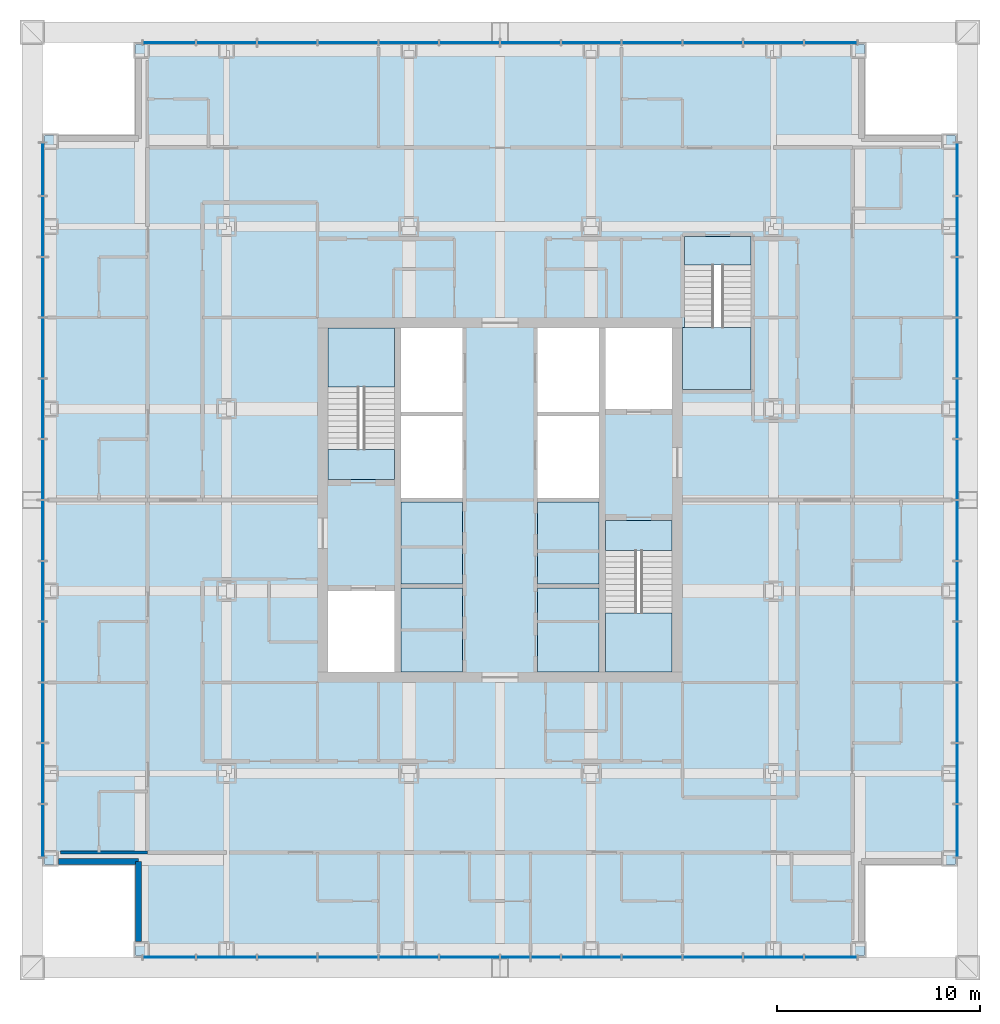
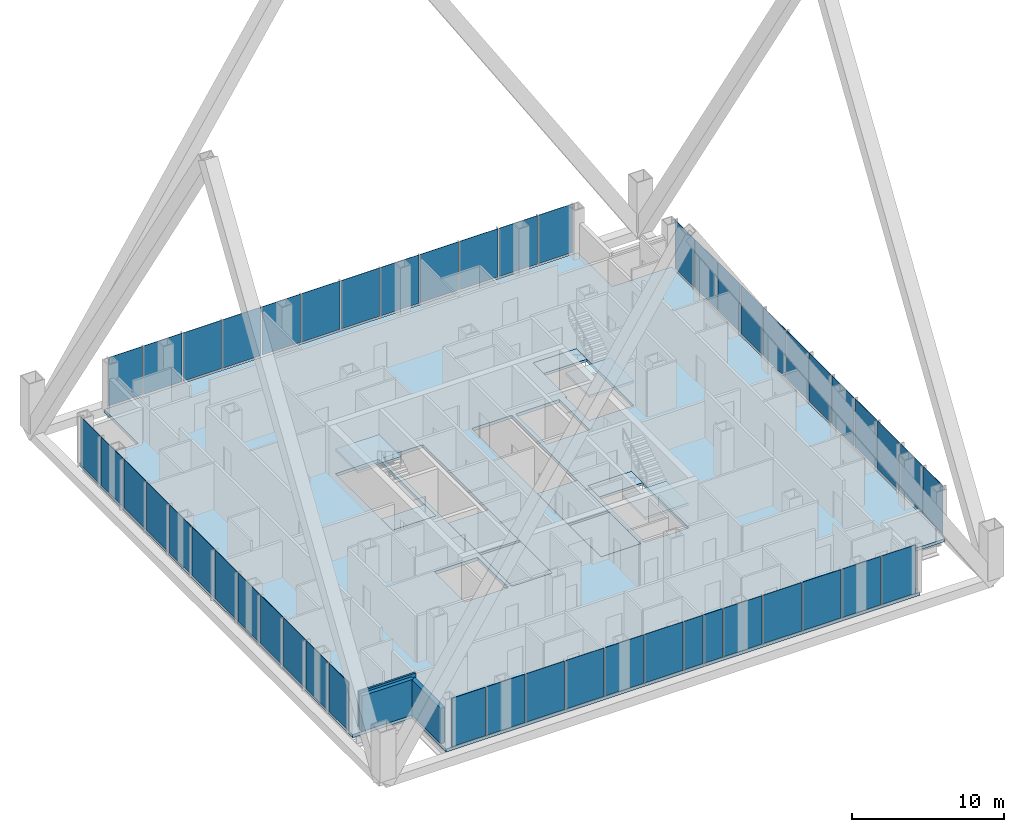
# One storey, part 10 of 16: 49 plates, 11 slabs, 3 walls, 7 elements without a shape of their own.
"""IFC4 building model written with IfcOpenShell, lengths in metres."""

from ifc_helpers import new_model, si_unit, direction, frame, frame_2d, origin, origin_2d, place, context, subcontext, project, spatial, polyline, rectangle, outline, extrude, material, layer, layer_set, type_object, element, aggregate, save


model = new_model("IFC4")

# Units and contexts
model_context = context("Model", 3, precision=1e-05, world=origin(), true_north=direction((0.0, 1.0)))
body_context = subcontext(model_context, "Body", "Model", "MODEL_VIEW")
ifc_project = project(units=[si_unit("LENGTHUNIT", "METRE"), si_unit("AREAUNIT", "SQUARE_METRE"), si_unit("VOLUMEUNIT", "CUBIC_METRE"), si_unit("PLANEANGLEUNIT", "RADIAN"), si_unit("MASSUNIT", "GRAM", prefix="KILO")], contexts=[model_context])

# Site, building, storey
site_placement = place(None, origin())
site = spatial("IfcSite", under=ifc_project, at=site_placement, CompositionType="ELEMENT")
building_placement = place(site_placement, origin())
building = spatial("IfcBuilding", under=site, at=building_placement, Name="Malebo Sky Hospital", CompositionType="ELEMENT")
storey_placement = place(building_placement, frame((0.0, 0.0, 209.0)))
storey = spatial("IfcBuildingStorey", under=building, at=storey_placement, Name="L50", CompositionType="ELEMENT", Elevation=209.0)

# Slabs
ifc_material_1 = material(Name="Concrete C40/50", Category="concrete")
ifc_layer_1 = layer(ifc_material_1, 0.25)
ifc_layer_set_1 = layer_set([ifc_layer_1], Name="COMPOSITE FLOOR SLAB 250")
slab_type_1 = type_object("IfcSlabType", Name="COMPOSITE FLOOR SLAB 250", PredefinedType="FLOOR", material=ifc_layer_set_1)
slab_1_placement = place(storey_placement, frame((0.0, 0.0, -0.25)))
element("IfcSlab", 1, at=slab_1_placement, inside=storey, type_object=slab_type_1, Name="Floor slab L50", PredefinedType="FLOOR", context=body_context, shape_type="SweptSolid", body=[
    extrude(outline(polyline([(42.0, 84.5), (42.0, 80.0), (37.5, 80.0), (37.5, 44.0), (42.0, 44.0), (42.0, 39.5), (78.0, 39.5), (78.0, 44.0), (82.5, 44.0), (82.5, 80.0), (78.0, 80.0), (78.0, 84.5), (42.0, 84.5)]), holes=[polyline([(55.10009765625, 70.5), (58.14990234375, 70.5), (58.14990234375, 53.5), (55.10009765625, 53.5), (55.10009765625, 70.5)]), polyline([(64.89990234375, 70.5), (64.89990234375, 53.5), (61.85009765625, 53.5), (61.85009765625, 70.5), (64.89990234375, 70.5)]), polyline([(54.800048828125, 63.0), (51.5, 63.0), (51.5, 70.5), (54.800048828125, 70.5), (54.800048828125, 63.0)]), polyline([(51.5, 53.5), (51.5, 57.5), (54.800048828125, 57.5), (54.800048828125, 53.5), (51.5, 53.5)]), polyline([(65.199951171875, 61.0), (68.5, 61.0), (68.5, 53.5), (65.199951171875, 53.5), (65.199951171875, 61.0)]), polyline([(68.5, 70.5), (68.5, 66.5), (65.199951171875, 66.5), (65.199951171875, 70.5), (68.5, 70.5)]), polyline([(69.0, 67.449951171875), (69.0, 70.52001953125), (69.10009765625, 70.52001953125), (69.10009765625, 75.0), (72.39990234375, 75.0), (72.39990234375, 67.449951171875), (69.10009765625, 67.449951171875), (69.0, 67.449951171875)])]), origin(), (0.0, 0.0, 1.0), 0.25),
])
ifc_layer_2 = layer(ifc_material_1, 0.25)
ifc_layer_set_2 = layer_set([ifc_layer_2], Name="SHAFT INFILL SLAB 250")
slab_type_2 = type_object("IfcSlabType", Name="SHAFT INFILL SLAB 250", PredefinedType="FLOOR", material=ifc_layer_set_2)
slab_2_placement = place(storey_placement, frame((0.0, 0.0, -0.25)))
element("IfcSlab", 2, at=slab_2_placement, inside=storey, type_object=slab_type_2, Name="Shaft infill slab W1 L50", PredefinedType="FLOOR", context=body_context, shape_type="SweptSolid", body=[
    extrude(outline(polyline([(55.10009765625, 53.5), (58.14990234375, 53.5), (58.14990234375, 57.64990234375), (55.10009765625, 57.64990234375), (55.10009765625, 53.5)])), origin(), (0.0, 0.0, 1.0), 0.25),
])
slab_3_placement = place(storey_placement, frame((0.0, 0.0, -0.25)))
element("IfcSlab", 3, at=slab_3_placement, inside=storey, type_object=slab_type_2, Name="Shaft infill slab W2 L50", PredefinedType="FLOOR", context=body_context, shape_type="SweptSolid", body=[
    extrude(outline(polyline([(55.10009765625, 57.85009765625), (58.14990234375, 57.85009765625), (58.14990234375, 61.89990234375), (55.10009765625, 61.89990234375), (55.10009765625, 57.85009765625)])), origin(), (0.0, 0.0, 1.0), 0.25),
])
slab_4_placement = place(storey_placement, frame((0.0, 0.0, -0.25)))
element("IfcSlab", 4, at=slab_4_placement, inside=storey, type_object=slab_type_2, Name="Shaft infill slab E1 L50", PredefinedType="FLOOR", context=body_context, shape_type="SweptSolid", body=[
    extrude(outline(polyline([(61.85009765625, 53.5), (64.89990234375, 53.5), (64.89990234375, 57.64990234375), (61.85009765625, 57.64990234375), (61.85009765625, 53.5)])), origin(), (0.0, 0.0, 1.0), 0.25),
])
slab_5_placement = place(storey_placement, frame((0.0, 0.0, -0.25)))
element("IfcSlab", 5, at=slab_5_placement, inside=storey, type_object=slab_type_2, Name="Shaft infill slab E2 L50", PredefinedType="FLOOR", context=body_context, shape_type="SweptSolid", body=[
    extrude(outline(polyline([(61.85009765625, 57.85009765625), (64.89990234375, 57.85009765625), (64.89990234375, 61.89990234375), (61.85009765625, 61.89990234375), (61.85009765625, 57.85009765625)])), origin(), (0.0, 0.0, 1.0), 0.25),
])

# Stair, slabs
stair_type_1 = type_object("IfcStairType", Name="HALF-TURN STAIR 1500 R167", PredefinedType="HALF_TURN_STAIR", material=ifc_material_1)
stair_1_placement = place(storey_placement, origin())
stair_1 = element("IfcStair", 6, at=stair_1_placement, inside=storey, type_object=stair_type_1, Name="Stair S1 L50 type ST1", PredefinedType="HALF_TURN_STAIR")
ifc_layer_3 = layer(ifc_material_1, 0.199951171875)
ifc_layer_set_3 = layer_set([ifc_layer_3], Name="STAIR LANDING 200")
slab_type_3 = type_object("IfcSlabType", Name="STAIR LANDING 200", PredefinedType="LANDING", material=ifc_layer_set_3)
slab_6_placement = place(storey_placement, frame((0.0, 0.0, -0.199951171875)))
slab_6 = element("IfcSlab", 7, at=slab_6_placement, type_object=slab_type_3, Name="S1 landing 1", PredefinedType="LANDING", context=body_context, shape_type="SweptSolid", body=[
    extrude(outline(polyline([(51.5, 63.0), (54.800048828125, 63.0), (54.800048828125, 64.5), (51.5, 64.5), (51.5, 63.0)])), origin(), (0.0, 0.0, 1.0), 0.199951171875),
])
slab_7_placement = place(storey_placement, frame((0.0, 0.0, 1.800048828125)))
slab_7 = element("IfcSlab", 8, at=slab_7_placement, type_object=slab_type_3, Name="S1 landing 2", PredefinedType="LANDING", context=body_context, shape_type="SweptSolid", body=[
    extrude(outline(polyline([(51.5, 67.580078125), (54.800048828125, 67.580078125), (54.800048828125, 70.5), (51.5, 70.5), (51.5, 67.580078125)])), origin(), (0.0, 0.0, 1.0), 0.199951171875),
])
aggregate(stair_1, [slab_6, slab_7])

stair_2_placement = place(storey_placement, origin())
stair_2 = element("IfcStair", 9, at=stair_2_placement, inside=storey, type_object=stair_type_1, Name="Stair S2 L50 type ST1", PredefinedType="HALF_TURN_STAIR")
slab_8_placement = place(storey_placement, frame((0.0, 0.0, -0.199951171875)))
slab_8 = element("IfcSlab", 10, at=slab_8_placement, type_object=slab_type_3, Name="S2 landing 1", PredefinedType="LANDING", context=body_context, shape_type="SweptSolid", body=[
    extrude(outline(polyline([(65.199951171875, 59.5), (68.5, 59.5), (68.5, 61.0), (65.199951171875, 61.0), (65.199951171875, 59.5)])), origin(), (0.0, 0.0, 1.0), 0.199951171875),
])
slab_9_placement = place(storey_placement, frame((0.0, 0.0, 1.800048828125)))
slab_9 = element("IfcSlab", 11, at=slab_9_placement, type_object=slab_type_3, Name="S2 landing 2", PredefinedType="LANDING", context=body_context, shape_type="SweptSolid", body=[
    extrude(outline(polyline([(65.199951171875, 53.5), (68.5, 53.5), (68.5, 56.419921875), (65.199951171875, 56.419921875), (65.199951171875, 53.5)])), origin(), (0.0, 0.0, 1.0), 0.199951171875),
])
aggregate(stair_2, [slab_8, slab_9])

stair_type_2 = type_object("IfcStairType", Name="HALF-TURN STAIR 1400 R167", PredefinedType="HALF_TURN_STAIR", material=ifc_material_1)
stair_3_placement = place(storey_placement, origin())
stair_3 = element("IfcStair", 12, at=stair_3_placement, inside=storey, type_object=stair_type_2, Name="Stair S3 L50 type ST1B", PredefinedType="HALF_TURN_STAIR")
slab_10_placement = place(storey_placement, frame((0.0, 0.0, -0.199951171875)))
slab_10 = element("IfcSlab", 13, at=slab_10_placement, type_object=slab_type_3, Name="S3 landing 1", PredefinedType="LANDING", context=body_context, shape_type="SweptSolid", body=[
    extrude(outline(polyline([(69.10009765625, 73.60009765625), (72.39990234375, 73.60009765625), (72.39990234375, 75.0), (69.10009765625, 75.0), (69.10009765625, 73.60009765625)])), origin(), (0.0, 0.0, 1.0), 0.199951171875),
])
slab_11_placement = place(storey_placement, frame((0.0, 0.0, 1.800048828125)))
slab_11 = element("IfcSlab", 14, at=slab_11_placement, type_object=slab_type_3, Name="S3 landing 2", PredefinedType="LANDING", context=body_context, shape_type="SweptSolid", body=[
    extrude(outline(polyline([(69.0, 67.449951171875), (72.39990234375, 67.449951171875), (72.39990234375, 70.52001953125), (69.0, 70.52001953125), (69.0, 67.449951171875)])), origin(), (0.0, 0.0, 1.0), 0.199951171875),
])
aggregate(stair_3, [slab_10, slab_11])

# Curtain wall, plates
ifc_material_2 = material(Name="Anodised aluminium, natural silver", Category="aluminium")
ifc_layer_4 = layer(ifc_material_2, 0.25)
ifc_layer_set_4 = layer_set([ifc_layer_4], Name="WARD CURTAIN WALL NORTH AND SOUTH")
curtain_wall_type_1 = type_object("IfcCurtainWallType", Name="WARD CURTAIN WALL NORTH AND SOUTH", PredefinedType="NOTDEFINED", material=ifc_layer_set_4)
curtain_wall_1_placement = place(storey_placement, origin())
curtain_wall_1 = element("IfcCurtainWall", 15, at=curtain_wall_1_placement, inside=storey, type_object=curtain_wall_type_1, Name="NS curtain wall N", PredefinedType="NOTDEFINED")
ifc_material_3 = material(Name="Clear low-iron double glazing", Category="glass")
ifc_layer_5 = layer(ifc_material_3, 0.031982421875)
ifc_layer_set_5 = layer_set([ifc_layer_5], Name="VISION PANEL CLEAR 32")
plate_type = type_object("IfcPlateType", Name="VISION PANEL CLEAR 32", PredefinedType="CURTAIN_PANEL", material=ifc_layer_set_5)
plate_1_placement = place(storey_placement, frame((43.668701171875, 84.574951171875, 0.10009765625), z_axis=(0.0, 0.0, 1.0), x_axis=(1.0, 0.0, 0.0)))
plate_1 = element("IfcPlate", 16, at=plate_1_placement, type_object=plate_type, Name="Panel 1", PredefinedType="CURTAIN_PANEL", context=body_context, shape_type="SweptSolid", body=[
    extrude(rectangle(XDim=2.58740234375, YDim=0.031982421875, at=origin_2d()), origin(), (0.0, 0.0, 1.0), 3.889892578125),
])
plate_2_placement = place(storey_placement, frame((46.5, 84.574951171875, 0.10009765625), z_axis=(0.0, 0.0, 1.0), x_axis=(1.0, 0.0, 0.0)))
plate_2 = element("IfcPlate", 17, at=plate_2_placement, type_object=plate_type, Name="Panel 2", PredefinedType="CURTAIN_PANEL", context=body_context, shape_type="SweptSolid", body=[
    extrude(rectangle(XDim=2.925048828125, YDim=0.031982421875, at=origin_2d()), origin(), (0.0, 0.0, 1.0), 3.889892578125),
])
plate_3_placement = place(storey_placement, frame((49.5, 84.574951171875, 0.10009765625), z_axis=(0.0, 0.0, 1.0), x_axis=(1.0, 0.0, 0.0)))
plate_3 = element("IfcPlate", 18, at=plate_3_placement, type_object=plate_type, Name="Panel 3", PredefinedType="CURTAIN_PANEL", context=body_context, shape_type="SweptSolid", body=[
    extrude(rectangle(XDim=2.925048828125, YDim=0.031982421875, at=origin_2d()), origin(), (0.0, 0.0, 1.0), 3.889892578125),
])
plate_4_placement = place(storey_placement, frame((52.5, 84.574951171875, 0.10009765625), z_axis=(0.0, 0.0, 1.0), x_axis=(1.0, 0.0, 0.0)))
plate_4 = element("IfcPlate", 19, at=plate_4_placement, type_object=plate_type, Name="Panel 4", PredefinedType="CURTAIN_PANEL", context=body_context, shape_type="SweptSolid", body=[
    extrude(rectangle(XDim=2.925048828125, YDim=0.031982421875, at=origin_2d()), origin(), (0.0, 0.0, 1.0), 3.889892578125),
])
plate_5_placement = place(storey_placement, frame((55.5, 84.574951171875, 0.10009765625), z_axis=(0.0, 0.0, 1.0), x_axis=(1.0, 0.0, 0.0)))
plate_5 = element("IfcPlate", 20, at=plate_5_placement, type_object=plate_type, Name="Panel 5", PredefinedType="CURTAIN_PANEL", context=body_context, shape_type="SweptSolid", body=[
    extrude(rectangle(XDim=2.925048828125, YDim=0.031982421875, at=origin_2d()), origin(), (0.0, 0.0, 1.0), 3.889892578125),
])
plate_6_placement = place(storey_placement, frame((58.5, 84.574951171875, 0.10009765625), z_axis=(0.0, 0.0, 1.0), x_axis=(1.0, 0.0, 0.0)))
plate_6 = element("IfcPlate", 21, at=plate_6_placement, type_object=plate_type, Name="Panel 6", PredefinedType="CURTAIN_PANEL", context=body_context, shape_type="SweptSolid", body=[
    extrude(rectangle(XDim=2.925048828125, YDim=0.031982421875, at=origin_2d()), origin(), (0.0, 0.0, 1.0), 3.889892578125),
])
plate_7_placement = place(storey_placement, frame((61.5, 84.574951171875, 0.10009765625), z_axis=(0.0, 0.0, 1.0), x_axis=(1.0, 0.0, 0.0)))
plate_7 = element("IfcPlate", 22, at=plate_7_placement, type_object=plate_type, Name="Panel 7", PredefinedType="CURTAIN_PANEL", context=body_context, shape_type="SweptSolid", body=[
    extrude(rectangle(XDim=2.925048828125, YDim=0.031982421875, at=origin_2d()), origin(), (0.0, 0.0, 1.0), 3.889892578125),
])
plate_8_placement = place(storey_placement, frame((64.5, 84.574951171875, 0.10009765625), z_axis=(0.0, 0.0, 1.0), x_axis=(1.0, 0.0, 0.0)))
plate_8 = element("IfcPlate", 23, at=plate_8_placement, type_object=plate_type, Name="Panel 8", PredefinedType="CURTAIN_PANEL", context=body_context, shape_type="SweptSolid", body=[
    extrude(rectangle(XDim=2.925048828125, YDim=0.031982421875, at=origin_2d()), origin(), (0.0, 0.0, 1.0), 3.889892578125),
])
plate_9_placement = place(storey_placement, frame((67.5, 84.574951171875, 0.10009765625), z_axis=(0.0, 0.0, 1.0), x_axis=(1.0, 0.0, 0.0)))
plate_9 = element("IfcPlate", 24, at=plate_9_placement, type_object=plate_type, Name="Panel 9", PredefinedType="CURTAIN_PANEL", context=body_context, shape_type="SweptSolid", body=[
    extrude(rectangle(XDim=2.925048828125, YDim=0.031982421875, at=origin_2d()), origin(), (0.0, 0.0, 1.0), 3.889892578125),
])
plate_10_placement = place(storey_placement, frame((70.5, 84.574951171875, 0.10009765625), z_axis=(0.0, 0.0, 1.0), x_axis=(1.0, 0.0, 0.0)))
plate_10 = element("IfcPlate", 25, at=plate_10_placement, type_object=plate_type, Name="Panel 10", PredefinedType="CURTAIN_PANEL", context=body_context, shape_type="SweptSolid", body=[
    extrude(rectangle(XDim=2.925048828125, YDim=0.031982421875, at=origin_2d()), origin(), (0.0, 0.0, 1.0), 3.889892578125),
])
plate_11_placement = place(storey_placement, frame((73.5, 84.574951171875, 0.10009765625), z_axis=(0.0, 0.0, 1.0), x_axis=(1.0, 0.0, 0.0)))
plate_11 = element("IfcPlate", 26, at=plate_11_placement, type_object=plate_type, Name="Panel 11", PredefinedType="CURTAIN_PANEL", context=body_context, shape_type="SweptSolid", body=[
    extrude(rectangle(XDim=2.925048828125, YDim=0.031982421875, at=origin_2d()), origin(), (0.0, 0.0, 1.0), 3.889892578125),
])
plate_12_placement = place(storey_placement, frame((76.331298828125, 84.574951171875, 0.10009765625), z_axis=(0.0, 0.0, 1.0), x_axis=(1.0, 0.0, 0.0)))
plate_12 = element("IfcPlate", 27, at=plate_12_placement, type_object=plate_type, Name="Panel 12", PredefinedType="CURTAIN_PANEL", context=body_context, shape_type="SweptSolid", body=[
    extrude(rectangle(XDim=2.58740234375, YDim=0.031982421875, at=origin_2d()), origin(), (0.0, 0.0, 1.0), 3.889892578125),
])
aggregate(curtain_wall_1, [plate_1, plate_2, plate_3, plate_4, plate_5, plate_6, plate_7, plate_8, plate_9, plate_10, plate_11, plate_12])

ifc_layer_6 = layer(ifc_material_2, 0.25)
ifc_layer_set_6 = layer_set([ifc_layer_6], Name="WARD CURTAIN WALL EAST AND WEST")
curtain_wall_type_2 = type_object("IfcCurtainWallType", Name="WARD CURTAIN WALL EAST AND WEST", PredefinedType="NOTDEFINED", material=ifc_layer_set_6)
curtain_wall_2_placement = place(storey_placement, origin())
curtain_wall_2 = element("IfcCurtainWall", 28, at=curtain_wall_2_placement, inside=storey, type_object=curtain_wall_type_2, Name="EW curtain wall W", PredefinedType="NOTDEFINED")
plate_13_placement = place(storey_placement, frame((37.425048828125, 45.668701171875, 0.10009765625), z_axis=(0.0, 0.0, 1.0), x_axis=(0.0, 1.0, 0.0)))
plate_13 = element("IfcPlate", 29, at=plate_13_placement, type_object=plate_type, Name="Panel 1", PredefinedType="CURTAIN_PANEL", context=body_context, shape_type="SweptSolid", body=[
    extrude(rectangle(XDim=2.58740234375, YDim=0.031982421875, at=origin_2d()), origin(), (0.0, 0.0, 1.0), 3.889892578125),
])
plate_14_placement = place(storey_placement, frame((37.425048828125, 48.5, 0.10009765625), z_axis=(0.0, 0.0, 1.0), x_axis=(0.0, 1.0, 0.0)))
plate_14 = element("IfcPlate", 30, at=plate_14_placement, type_object=plate_type, Name="Panel 2", PredefinedType="CURTAIN_PANEL", context=body_context, shape_type="SweptSolid", body=[
    extrude(rectangle(XDim=2.925048828125, YDim=0.031982421875, at=origin_2d()), origin(), (0.0, 0.0, 1.0), 3.889892578125),
])
plate_15_placement = place(storey_placement, frame((37.425048828125, 51.5, 0.10009765625), z_axis=(0.0, 0.0, 1.0), x_axis=(0.0, 1.0, 0.0)))
plate_15 = element("IfcPlate", 31, at=plate_15_placement, type_object=plate_type, Name="Panel 3", PredefinedType="CURTAIN_PANEL", context=body_context, shape_type="SweptSolid", body=[
    extrude(rectangle(XDim=2.925048828125, YDim=0.031982421875, at=origin_2d()), origin(), (0.0, 0.0, 1.0), 3.889892578125),
])
plate_16_placement = place(storey_placement, frame((37.425048828125, 54.5, 0.10009765625), z_axis=(0.0, 0.0, 1.0), x_axis=(0.0, 1.0, 0.0)))
plate_16 = element("IfcPlate", 32, at=plate_16_placement, type_object=plate_type, Name="Panel 4", PredefinedType="CURTAIN_PANEL", context=body_context, shape_type="SweptSolid", body=[
    extrude(rectangle(XDim=2.925048828125, YDim=0.031982421875, at=origin_2d()), origin(), (0.0, 0.0, 1.0), 3.889892578125),
])
plate_17_placement = place(storey_placement, frame((37.425048828125, 57.5, 0.10009765625), z_axis=(0.0, 0.0, 1.0), x_axis=(0.0, 1.0, 0.0)))
plate_17 = element("IfcPlate", 33, at=plate_17_placement, type_object=plate_type, Name="Panel 5", PredefinedType="CURTAIN_PANEL", context=body_context, shape_type="SweptSolid", body=[
    extrude(rectangle(XDim=2.925048828125, YDim=0.031982421875, at=origin_2d()), origin(), (0.0, 0.0, 1.0), 3.889892578125),
])
plate_18_placement = place(storey_placement, frame((37.425048828125, 60.5, 0.10009765625), z_axis=(0.0, 0.0, 1.0), x_axis=(0.0, 1.0, 0.0)))
plate_18 = element("IfcPlate", 34, at=plate_18_placement, type_object=plate_type, Name="Panel 6", PredefinedType="CURTAIN_PANEL", context=body_context, shape_type="SweptSolid", body=[
    extrude(rectangle(XDim=2.925048828125, YDim=0.031982421875, at=origin_2d()), origin(), (0.0, 0.0, 1.0), 3.889892578125),
])
plate_19_placement = place(storey_placement, frame((37.425048828125, 63.5, 0.10009765625), z_axis=(0.0, 0.0, 1.0), x_axis=(0.0, 1.0, 0.0)))
plate_19 = element("IfcPlate", 35, at=plate_19_placement, type_object=plate_type, Name="Panel 7", PredefinedType="CURTAIN_PANEL", context=body_context, shape_type="SweptSolid", body=[
    extrude(rectangle(XDim=2.925048828125, YDim=0.031982421875, at=origin_2d()), origin(), (0.0, 0.0, 1.0), 3.889892578125),
])
plate_20_placement = place(storey_placement, frame((37.425048828125, 66.5, 0.10009765625), z_axis=(0.0, 0.0, 1.0), x_axis=(0.0, 1.0, 0.0)))
plate_20 = element("IfcPlate", 36, at=plate_20_placement, type_object=plate_type, Name="Panel 8", PredefinedType="CURTAIN_PANEL", context=body_context, shape_type="SweptSolid", body=[
    extrude(rectangle(XDim=2.925048828125, YDim=0.031982421875, at=origin_2d()), origin(), (0.0, 0.0, 1.0), 3.889892578125),
])
plate_21_placement = place(storey_placement, frame((37.425048828125, 69.5, 0.10009765625), z_axis=(0.0, 0.0, 1.0), x_axis=(0.0, 1.0, 0.0)))
plate_21 = element("IfcPlate", 37, at=plate_21_placement, type_object=plate_type, Name="Panel 9", PredefinedType="CURTAIN_PANEL", context=body_context, shape_type="SweptSolid", body=[
    extrude(rectangle(XDim=2.925048828125, YDim=0.031982421875, at=origin_2d()), origin(), (0.0, 0.0, 1.0), 3.889892578125),
])
plate_22_placement = place(storey_placement, frame((37.425048828125, 72.5, 0.10009765625), z_axis=(0.0, 0.0, 1.0), x_axis=(0.0, 1.0, 0.0)))
plate_22 = element("IfcPlate", 38, at=plate_22_placement, type_object=plate_type, Name="Panel 10", PredefinedType="CURTAIN_PANEL", context=body_context, shape_type="SweptSolid", body=[
    extrude(rectangle(XDim=2.925048828125, YDim=0.031982421875, at=origin_2d()), origin(), (0.0, 0.0, 1.0), 3.889892578125),
])
plate_23_placement = place(storey_placement, frame((37.425048828125, 75.5, 0.10009765625), z_axis=(0.0, 0.0, 1.0), x_axis=(0.0, 1.0, 0.0)))
plate_23 = element("IfcPlate", 39, at=plate_23_placement, type_object=plate_type, Name="Panel 11", PredefinedType="CURTAIN_PANEL", context=body_context, shape_type="SweptSolid", body=[
    extrude(rectangle(XDim=2.925048828125, YDim=0.031982421875, at=origin_2d()), origin(), (0.0, 0.0, 1.0), 3.889892578125),
])
plate_24_placement = place(storey_placement, frame((37.425048828125, 78.331298828125, 0.10009765625), z_axis=(0.0, 0.0, 1.0), x_axis=(0.0, 1.0, 0.0)))
plate_24 = element("IfcPlate", 40, at=plate_24_placement, type_object=plate_type, Name="Panel 12", PredefinedType="CURTAIN_PANEL", context=body_context, shape_type="SweptSolid", body=[
    extrude(rectangle(XDim=2.58740234375, YDim=0.031982421875, at=origin_2d()), origin(), (0.0, 0.0, 1.0), 3.889892578125),
])
aggregate(curtain_wall_2, [plate_13, plate_14, plate_15, plate_16, plate_17, plate_18, plate_19, plate_20, plate_21, plate_22, plate_23, plate_24])

curtain_wall_3_placement = place(storey_placement, origin())
curtain_wall_3 = element("IfcCurtainWall", 41, at=curtain_wall_3_placement, inside=storey, type_object=curtain_wall_type_1, Name="NS curtain wall S", PredefinedType="NOTDEFINED")
plate_25_placement = place(storey_placement, frame((76.331298828125, 39.425048828125, 0.10009765625), z_axis=(0.0, 0.0, 1.0), x_axis=(-1.0, 0.0, 0.0)))
plate_25 = element("IfcPlate", 42, at=plate_25_placement, type_object=plate_type, Name="Panel 1", PredefinedType="CURTAIN_PANEL", context=body_context, shape_type="SweptSolid", body=[
    extrude(rectangle(XDim=2.58740234375, YDim=0.031982421875, at=origin_2d()), origin(), (0.0, 0.0, 1.0), 3.889892578125),
])
plate_26_placement = place(storey_placement, frame((73.5, 39.425048828125, 0.10009765625), z_axis=(0.0, 0.0, 1.0), x_axis=(-1.0, 0.0, 0.0)))
plate_26 = element("IfcPlate", 43, at=plate_26_placement, type_object=plate_type, Name="Panel 2", PredefinedType="CURTAIN_PANEL", context=body_context, shape_type="SweptSolid", body=[
    extrude(rectangle(XDim=2.925048828125, YDim=0.031982421875, at=origin_2d()), origin(), (0.0, 0.0, 1.0), 3.889892578125),
])
plate_27_placement = place(storey_placement, frame((70.5, 39.425048828125, 0.10009765625), z_axis=(0.0, 0.0, 1.0), x_axis=(-1.0, 0.0, 0.0)))
plate_27 = element("IfcPlate", 44, at=plate_27_placement, type_object=plate_type, Name="Panel 3", PredefinedType="CURTAIN_PANEL", context=body_context, shape_type="SweptSolid", body=[
    extrude(rectangle(XDim=2.925048828125, YDim=0.031982421875, at=origin_2d()), origin(), (0.0, 0.0, 1.0), 3.889892578125),
])
plate_28_placement = place(storey_placement, frame((67.5, 39.425048828125, 0.10009765625), z_axis=(0.0, 0.0, 1.0), x_axis=(-1.0, 0.0, 0.0)))
plate_28 = element("IfcPlate", 45, at=plate_28_placement, type_object=plate_type, Name="Panel 4", PredefinedType="CURTAIN_PANEL", context=body_context, shape_type="SweptSolid", body=[
    extrude(rectangle(XDim=2.925048828125, YDim=0.031982421875, at=origin_2d()), origin(), (0.0, 0.0, 1.0), 3.889892578125),
])
plate_29_placement = place(storey_placement, frame((64.5, 39.425048828125, 0.10009765625), z_axis=(0.0, 0.0, 1.0), x_axis=(-1.0, 0.0, 0.0)))
plate_29 = element("IfcPlate", 46, at=plate_29_placement, type_object=plate_type, Name="Panel 5", PredefinedType="CURTAIN_PANEL", context=body_context, shape_type="SweptSolid", body=[
    extrude(rectangle(XDim=2.925048828125, YDim=0.031982421875, at=origin_2d()), origin(), (0.0, 0.0, 1.0), 3.889892578125),
])
plate_30_placement = place(storey_placement, frame((62.25, 39.425048828125, 0.10009765625), z_axis=(0.0, 0.0, 1.0), x_axis=(-1.0, 0.0, 0.0)))
plate_30 = element("IfcPlate", 47, at=plate_30_placement, type_object=plate_type, Name="Panel 6", PredefinedType="CURTAIN_PANEL", context=body_context, shape_type="SweptSolid", body=[
    extrude(rectangle(XDim=1.425048828125, YDim=0.031982421875, at=origin_2d()), origin(), (0.0, 0.0, 1.0), 3.889892578125),
])
plate_31_placement = place(storey_placement, frame((60.75, 39.425048828125, 0.10009765625), z_axis=(0.0, 0.0, 1.0), x_axis=(-1.0, 0.0, 0.0)))
plate_31 = element("IfcPlate", 48, at=plate_31_placement, type_object=plate_type, Name="Panel 7", PredefinedType="CURTAIN_PANEL", context=body_context, shape_type="SweptSolid", body=[
    extrude(rectangle(XDim=1.425048828125, YDim=0.031982421875, at=origin_2d()), origin(), (0.0, 0.0, 1.0), 3.889892578125),
])
plate_32_placement = place(storey_placement, frame((58.5, 39.425048828125, 0.10009765625), z_axis=(0.0, 0.0, 1.0), x_axis=(-1.0, 0.0, 0.0)))
plate_32 = element("IfcPlate", 49, at=plate_32_placement, type_object=plate_type, Name="Panel 8", PredefinedType="CURTAIN_PANEL", context=body_context, shape_type="SweptSolid", body=[
    extrude(rectangle(XDim=2.925048828125, YDim=0.031982421875, at=origin_2d()), origin(), (0.0, 0.0, 1.0), 3.889892578125),
])
plate_33_placement = place(storey_placement, frame((55.5, 39.425048828125, 0.10009765625), z_axis=(0.0, 0.0, 1.0), x_axis=(-1.0, 0.0, 0.0)))
plate_33 = element("IfcPlate", 50, at=plate_33_placement, type_object=plate_type, Name="Panel 9", PredefinedType="CURTAIN_PANEL", context=body_context, shape_type="SweptSolid", body=[
    extrude(rectangle(XDim=2.925048828125, YDim=0.031982421875, at=origin_2d()), origin(), (0.0, 0.0, 1.0), 3.889892578125),
])
plate_34_placement = place(storey_placement, frame((52.5, 39.425048828125, 0.10009765625), z_axis=(0.0, 0.0, 1.0), x_axis=(-1.0, 0.0, 0.0)))
plate_34 = element("IfcPlate", 51, at=plate_34_placement, type_object=plate_type, Name="Panel 10", PredefinedType="CURTAIN_PANEL", context=body_context, shape_type="SweptSolid", body=[
    extrude(rectangle(XDim=2.925048828125, YDim=0.031982421875, at=origin_2d()), origin(), (0.0, 0.0, 1.0), 3.889892578125),
])
plate_35_placement = place(storey_placement, frame((49.5, 39.425048828125, 0.10009765625), z_axis=(0.0, 0.0, 1.0), x_axis=(-1.0, 0.0, 0.0)))
plate_35 = element("IfcPlate", 52, at=plate_35_placement, type_object=plate_type, Name="Panel 11", PredefinedType="CURTAIN_PANEL", context=body_context, shape_type="SweptSolid", body=[
    extrude(rectangle(XDim=2.925048828125, YDim=0.031982421875, at=origin_2d()), origin(), (0.0, 0.0, 1.0), 3.889892578125),
])
plate_36_placement = place(storey_placement, frame((46.5, 39.425048828125, 0.10009765625), z_axis=(0.0, 0.0, 1.0), x_axis=(-1.0, 0.0, 0.0)))
plate_36 = element("IfcPlate", 53, at=plate_36_placement, type_object=plate_type, Name="Panel 12", PredefinedType="CURTAIN_PANEL", context=body_context, shape_type="SweptSolid", body=[
    extrude(rectangle(XDim=2.925048828125, YDim=0.031982421875, at=origin_2d()), origin(), (0.0, 0.0, 1.0), 3.889892578125),
])
plate_37_placement = place(storey_placement, frame((43.668701171875, 39.425048828125, 0.10009765625), z_axis=(0.0, 0.0, 1.0), x_axis=(-1.0, 0.0, 0.0)))
plate_37 = element("IfcPlate", 54, at=plate_37_placement, type_object=plate_type, Name="Panel 13", PredefinedType="CURTAIN_PANEL", context=body_context, shape_type="SweptSolid", body=[
    extrude(rectangle(XDim=2.58740234375, YDim=0.031982421875, at=origin_2d()), origin(), (0.0, 0.0, 1.0), 3.889892578125),
])
aggregate(curtain_wall_3, [plate_25, plate_26, plate_27, plate_28, plate_29, plate_30, plate_31, plate_32, plate_33, plate_34, plate_35, plate_36, plate_37])

curtain_wall_4_placement = place(storey_placement, origin())
curtain_wall_4 = element("IfcCurtainWall", 55, at=curtain_wall_4_placement, inside=storey, type_object=curtain_wall_type_2, Name="EW curtain wall E", PredefinedType="NOTDEFINED")
plate_38_placement = place(storey_placement, frame((82.574951171875, 78.331298828125, 0.10009765625), z_axis=(0.0, 0.0, 1.0), x_axis=(0.0, -1.0, 0.0)))
plate_38 = element("IfcPlate", 56, at=plate_38_placement, type_object=plate_type, Name="Panel 1", PredefinedType="CURTAIN_PANEL", context=body_context, shape_type="SweptSolid", body=[
    extrude(rectangle(XDim=2.58740234375, YDim=0.031982421875, at=origin_2d()), origin(), (0.0, 0.0, 1.0), 3.889892578125),
])
plate_39_placement = place(storey_placement, frame((82.574951171875, 75.5, 0.10009765625), z_axis=(0.0, 0.0, 1.0), x_axis=(0.0, -1.0, 0.0)))
plate_39 = element("IfcPlate", 57, at=plate_39_placement, type_object=plate_type, Name="Panel 2", PredefinedType="CURTAIN_PANEL", context=body_context, shape_type="SweptSolid", body=[
    extrude(rectangle(XDim=2.925048828125, YDim=0.031982421875, at=origin_2d()), origin(), (0.0, 0.0, 1.0), 3.889892578125),
])
plate_40_placement = place(storey_placement, frame((82.574951171875, 72.5, 0.10009765625), z_axis=(0.0, 0.0, 1.0), x_axis=(0.0, -1.0, 0.0)))
plate_40 = element("IfcPlate", 58, at=plate_40_placement, type_object=plate_type, Name="Panel 3", PredefinedType="CURTAIN_PANEL", context=body_context, shape_type="SweptSolid", body=[
    extrude(rectangle(XDim=2.925048828125, YDim=0.031982421875, at=origin_2d()), origin(), (0.0, 0.0, 1.0), 3.889892578125),
])
plate_41_placement = place(storey_placement, frame((82.574951171875, 69.5, 0.10009765625), z_axis=(0.0, 0.0, 1.0), x_axis=(0.0, -1.0, 0.0)))
plate_41 = element("IfcPlate", 59, at=plate_41_placement, type_object=plate_type, Name="Panel 4", PredefinedType="CURTAIN_PANEL", context=body_context, shape_type="SweptSolid", body=[
    extrude(rectangle(XDim=2.925048828125, YDim=0.031982421875, at=origin_2d()), origin(), (0.0, 0.0, 1.0), 3.889892578125),
])
plate_42_placement = place(storey_placement, frame((82.574951171875, 66.5, 0.10009765625), z_axis=(0.0, 0.0, 1.0), x_axis=(0.0, -1.0, 0.0)))
plate_42 = element("IfcPlate", 60, at=plate_42_placement, type_object=plate_type, Name="Panel 5", PredefinedType="CURTAIN_PANEL", context=body_context, shape_type="SweptSolid", body=[
    extrude(rectangle(XDim=2.925048828125, YDim=0.031982421875, at=origin_2d()), origin(), (0.0, 0.0, 1.0), 3.889892578125),
])
plate_43_placement = place(storey_placement, frame((82.574951171875, 63.5, 0.10009765625), z_axis=(0.0, 0.0, 1.0), x_axis=(0.0, -1.0, 0.0)))
plate_43 = element("IfcPlate", 61, at=plate_43_placement, type_object=plate_type, Name="Panel 6", PredefinedType="CURTAIN_PANEL", context=body_context, shape_type="SweptSolid", body=[
    extrude(rectangle(XDim=2.925048828125, YDim=0.031982421875, at=origin_2d()), origin(), (0.0, 0.0, 1.0), 3.889892578125),
])
plate_44_placement = place(storey_placement, frame((82.574951171875, 60.5, 0.10009765625), z_axis=(0.0, 0.0, 1.0), x_axis=(0.0, -1.0, 0.0)))
plate_44 = element("IfcPlate", 62, at=plate_44_placement, type_object=plate_type, Name="Panel 7", PredefinedType="CURTAIN_PANEL", context=body_context, shape_type="SweptSolid", body=[
    extrude(rectangle(XDim=2.925048828125, YDim=0.031982421875, at=origin_2d()), origin(), (0.0, 0.0, 1.0), 3.889892578125),
])
plate_45_placement = place(storey_placement, frame((82.574951171875, 57.5, 0.10009765625), z_axis=(0.0, 0.0, 1.0), x_axis=(0.0, -1.0, 0.0)))
plate_45 = element("IfcPlate", 63, at=plate_45_placement, type_object=plate_type, Name="Panel 8", PredefinedType="CURTAIN_PANEL", context=body_context, shape_type="SweptSolid", body=[
    extrude(rectangle(XDim=2.925048828125, YDim=0.031982421875, at=origin_2d()), origin(), (0.0, 0.0, 1.0), 3.889892578125),
])
plate_46_placement = place(storey_placement, frame((82.574951171875, 54.5, 0.10009765625), z_axis=(0.0, 0.0, 1.0), x_axis=(0.0, -1.0, 0.0)))
plate_46 = element("IfcPlate", 64, at=plate_46_placement, type_object=plate_type, Name="Panel 9", PredefinedType="CURTAIN_PANEL", context=body_context, shape_type="SweptSolid", body=[
    extrude(rectangle(XDim=2.925048828125, YDim=0.031982421875, at=origin_2d()), origin(), (0.0, 0.0, 1.0), 3.889892578125),
])
plate_47_placement = place(storey_placement, frame((82.574951171875, 51.5, 0.10009765625), z_axis=(0.0, 0.0, 1.0), x_axis=(0.0, -1.0, 0.0)))
plate_47 = element("IfcPlate", 65, at=plate_47_placement, type_object=plate_type, Name="Panel 10", PredefinedType="CURTAIN_PANEL", context=body_context, shape_type="SweptSolid", body=[
    extrude(rectangle(XDim=2.925048828125, YDim=0.031982421875, at=origin_2d()), origin(), (0.0, 0.0, 1.0), 3.889892578125),
])
plate_48_placement = place(storey_placement, frame((82.574951171875, 48.5, 0.10009765625), z_axis=(0.0, 0.0, 1.0), x_axis=(0.0, -1.0, 0.0)))
plate_48 = element("IfcPlate", 66, at=plate_48_placement, type_object=plate_type, Name="Panel 11", PredefinedType="CURTAIN_PANEL", context=body_context, shape_type="SweptSolid", body=[
    extrude(rectangle(XDim=2.925048828125, YDim=0.031982421875, at=origin_2d()), origin(), (0.0, 0.0, 1.0), 3.889892578125),
])
plate_49_placement = place(storey_placement, frame((82.574951171875, 45.668701171875, 0.10009765625), z_axis=(0.0, 0.0, 1.0), x_axis=(0.0, -1.0, 0.0)))
plate_49 = element("IfcPlate", 67, at=plate_49_placement, type_object=plate_type, Name="Panel 12", PredefinedType="CURTAIN_PANEL", context=body_context, shape_type="SweptSolid", body=[
    extrude(rectangle(XDim=2.58740234375, YDim=0.031982421875, at=origin_2d()), origin(), (0.0, 0.0, 1.0), 3.889892578125),
])
aggregate(curtain_wall_4, [plate_38, plate_39, plate_40, plate_41, plate_42, plate_43, plate_44, plate_45, plate_46, plate_47, plate_48, plate_49])

# Walls
ifc_material_4 = material(Name="Anodised aluminium rainscreen on steel framing", Category="steel")
ifc_layer_7 = layer(ifc_material_4, 0.300048828125)
ifc_layer_set_7 = layer_set([ifc_layer_7], Name="NOTCH RAINSCREEN WALL 300")
wall_type_1 = type_object("IfcWallType", Name="NOTCH RAINSCREEN WALL 300", PredefinedType="ELEMENTEDWALL", material=ifc_layer_set_7)
for number, where, z_axis, x_axis, name in (
    (68, (42.14990234375, 40.199951171875, 0.0), (0.0, 0.0, 1.0), (0.0, 1.0, 0.0), "Notch rainscreen wall S1 L50"),
    (69, (42.14990234375, 44.14990234375, 0.0), (0.0, 0.0, 1.0), (-1.0, 0.0, 0.0), "Notch rainscreen wall S2 L50"),
):
    element("IfcWall", number, at=place(storey_placement, frame(where, z_axis=z_axis, x_axis=x_axis)), inside=storey, type_object=wall_type_1, Name=name, PredefinedType="ELEMENTEDWALL", context=body_context, shape_type="SweptSolid", body=[
        extrude(rectangle(XDim=3.949951171875, YDim=0.300048828125, at=frame_2d((1.97509765625, 0.0))), origin(), (0.0, 0.0, 1.0), 2.85009765625),
    ])
ifc_material_5 = material(Name="Gypsum board on steel studs", Category="steel")
ifc_layer_8 = layer(ifc_material_5, 0.14990234375)
ifc_layer_set_8 = layer_set([ifc_layer_8], Name="PARTITION 150")
wall_type_2 = type_object("IfcWallType", Name="PARTITION 150", PredefinedType="PARTITIONING", material=ifc_layer_set_8)
wall_placement = place(storey_placement, frame((42.60009765625, 44.60009765625, 0.0), z_axis=(0.0, 0.0, 1.0), x_axis=(-1.0, 0.0, 0.0)))
element("IfcWall", 70, at=wall_placement, inside=storey, type_object=wall_type_2, Name="Partition 150 WP0", PredefinedType="PARTITIONING", context=body_context, shape_type="SweptSolid", body=[
    extrude(rectangle(XDim=4.300048828125, YDim=0.14990234375, at=frame_2d((2.14990234375, 0.0))), origin(), (0.0, 0.0, 1.0), 2.85009765625),
])

save(model, "model.ifc")
